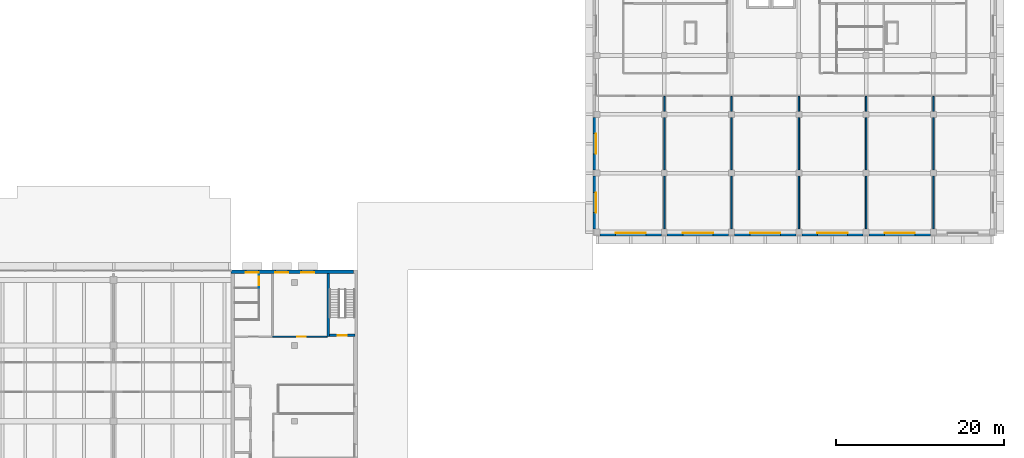
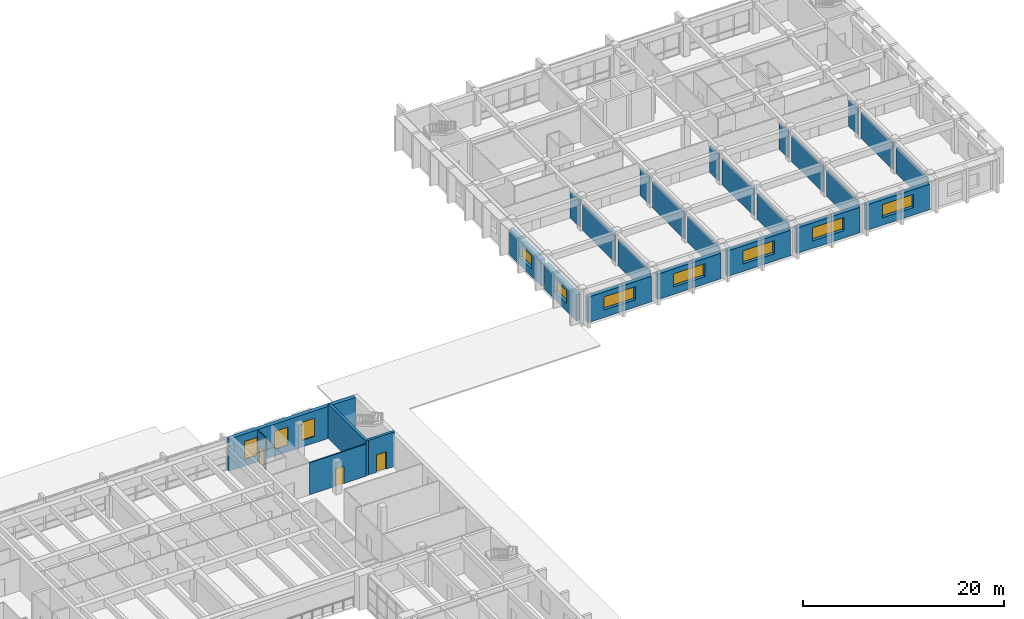
# One storey, part 34 of 45: 27 walls, 10 windows, 3 doors, 13 openings.
"""IFC4 building model written with IfcOpenShell, lengths in metres."""

from ifc_helpers import new_model, si_unit, direction, frame, frame_2d, origin, place, context, subcontext, project, spatial, rectangle, extrude, material, layer, layer_set, type_object, element, fill, save


model = new_model("IFC4")

# Units and contexts
model_context = context("Model", 3, precision=1e-05, world=origin(), true_north=direction((0.0, 1.0)))
body_context = subcontext(model_context, "Body", "Model", "MODEL_VIEW")
ifc_project = project(units=[si_unit("LENGTHUNIT", "METRE"), si_unit("AREAUNIT", "SQUARE_METRE"), si_unit("VOLUMEUNIT", "CUBIC_METRE"), si_unit("PLANEANGLEUNIT", "RADIAN"), si_unit("MASSUNIT", "GRAM", prefix="KILO")], contexts=[model_context])

# Site, building, storey
site_placement = place(None, origin())
site = spatial("IfcSite", under=ifc_project, at=site_placement, CompositionType="ELEMENT")
building_placement = place(site_placement, origin())
building = spatial("IfcBuilding", under=site, at=building_placement, Name="Elmora Arch Market Hall", CompositionType="ELEMENT")
storey_placement = place(building_placement, frame((0.0, 0.0, 6.0)))
storey = spatial("IfcBuildingStorey", under=building, at=storey_placement, Name="L01", CompositionType="ELEMENT", Elevation=6.0)

# Wall, openings, windows
ifc_material_1 = material(Name="Concrete C40/50", Category="concrete")
ifc_layer_1 = layer(ifc_material_1, 0.449951171875)
ifc_layer_set_1 = layer_set([ifc_layer_1], Name="Concrete C40/50")
wall_type_1 = type_object("IfcWallType", Name="Board-marked concrete wall 450", PredefinedType="SOLIDWALL", material=ifc_layer_set_1)
wall_1_placement = place(storey_placement, frame((43.0, 125.77490234375, 0.0), z_axis=(0.0, 0.0, 1.0), x_axis=(1.0, 0.0, 0.0)))
wall_1 = element("IfcWall", 1, at=wall_1_placement, inside=storey, type_object=wall_type_1, Name="Facade wall north NE L01", PredefinedType="SOLIDWALL", context=body_context, shape_type="SweptSolid", body=[
    extrude(rectangle(XDim=14.550048828125, YDim=0.449951171875, at=frame_2d((7.27490234375, 0.0))), origin(), (0.0, 0.0, 1.0), 3.89990234375),
])
opening_1_placement = place(wall_1_placement, frame((8.35009765625, 0.0, 0.800048828125)))
opening_1 = element("IfcOpeningElement", 2, at=opening_1_placement, cuts=wall_1, Name="Opening WP2", PredefinedType="OPENING", context=body_context, shape_type="SweptSolid", body=[
    extrude(rectangle(XDim=1.5, YDim=2.199951171875, at=frame_2d((0.75, 1.10009765625))), frame((0.0, 0.23486328125, 0.0), z_axis=(0.0, -1.0, 0.0), x_axis=(1.0, 0.0, 0.0)), (0.0, 0.0, 1.0), 0.469970703125),
])
opening_2_placement = place(wall_1_placement, frame((5.25, 0.0, 0.800048828125)))
opening_2 = element("IfcOpeningElement", 3, at=opening_2_placement, cuts=wall_1, Name="Opening WP2", PredefinedType="OPENING", context=body_context, shape_type="SweptSolid", body=[
    extrude(rectangle(XDim=1.5, YDim=2.199951171875, at=frame_2d((0.75, 1.10009765625))), frame((0.0, 0.23486328125, 0.0), z_axis=(0.0, -1.0, 0.0), x_axis=(1.0, 0.0, 0.0)), (0.0, 0.0, 1.0), 0.469970703125),
])
opening_3_placement = place(wall_1_placement, frame((1.75, 0.0, 0.800048828125)))
opening_3 = element("IfcOpeningElement", 4, at=opening_3_placement, cuts=wall_1, Name="Opening WP2", PredefinedType="OPENING", context=body_context, shape_type="SweptSolid", body=[
    extrude(rectangle(XDim=1.5, YDim=2.199951171875, at=frame_2d((0.75, 1.10009765625))), frame((0.0, 0.23486328125, 0.0), z_axis=(0.0, -1.0, 0.0), x_axis=(1.0, 0.0, 0.0)), (0.0, 0.0, 1.0), 0.469970703125),
])
ifc_material_2 = material(Name="Aluminium", Category="aluminium")
window_type_1 = type_object("IfcWindowType", Name="Pavilion window 1500x2200", PartitioningType="SINGLE_PANEL", PredefinedType="WINDOW", material=ifc_material_2)
window_1_placement = place(opening_1_placement, origin())
window_1 = element("IfcWindow", 5, at=window_1_placement, inside=storey, type_object=window_type_1, Name="Window WP2 L01 N38", OverallHeight=2.199951171875, OverallWidth=1.5, PartitioningType="SINGLE_PANEL", PredefinedType="WINDOW", context=body_context, shape_type="SweptSolid", body=[
    extrude(rectangle(XDim=1.5, YDim=2.199951171875, at=frame_2d((0.75, 1.10009765625))), frame((0.0, -0.074951171875, 0.0), z_axis=(0.0, -1.0, 0.0), x_axis=(1.0, 0.0, 0.0)), (0.0, 0.0, 1.0), 0.06005859375),
])
fill(opening_1, window_1)
window_2_placement = place(opening_2_placement, origin())
window_2 = element("IfcWindow", 6, at=window_2_placement, inside=storey, type_object=window_type_1, Name="Window WP2 L01 N39", OverallHeight=2.199951171875, OverallWidth=1.5, PartitioningType="SINGLE_PANEL", PredefinedType="WINDOW", context=body_context, shape_type="SweptSolid", body=[
    extrude(rectangle(XDim=1.5, YDim=2.199951171875, at=frame_2d((0.75, 1.10009765625))), frame((0.0, -0.074951171875, 0.0), z_axis=(0.0, -1.0, 0.0), x_axis=(1.0, 0.0, 0.0)), (0.0, 0.0, 1.0), 0.06005859375),
])
fill(opening_2, window_2)
window_3_placement = place(opening_3_placement, origin())
window_3 = element("IfcWindow", 7, at=window_3_placement, inside=storey, type_object=window_type_1, Name="Window WP2 L01 N40", OverallHeight=2.199951171875, OverallWidth=1.5, PartitioningType="SINGLE_PANEL", PredefinedType="WINDOW", context=body_context, shape_type="SweptSolid", body=[
    extrude(rectangle(XDim=1.5, YDim=2.199951171875, at=frame_2d((0.75, 1.10009765625))), frame((0.0, -0.074951171875, 0.0), z_axis=(0.0, -1.0, 0.0), x_axis=(1.0, 0.0, 0.0)), (0.0, 0.0, 1.0), 0.06005859375),
])
fill(opening_3, window_3)

# Wall, opening, window
wall_2_placement = place(storey_placement, frame((94.14990234375, 130.22509765625, 0.0), z_axis=(0.0, 0.0, 1.0), x_axis=(-1.0, 0.0, 0.0)))
wall_2 = element("IfcWall", 8, at=wall_2_placement, inside=storey, type_object=wall_type_1, Name="School facade wall S L01 1", PredefinedType="SOLIDWALL", context=body_context, shape_type="SweptSolid", body=[
    extrude(rectangle(XDim=7.2998046875, YDim=0.449951171875, at=frame_2d((3.64990234375, 0.0))), origin(), (0.0, 0.0, 1.0), 3.10009765625),
])
opening_4_placement = place(wall_2_placement, frame((1.85009765625, 0.0, 0.89990234375)))
opening_4 = element("IfcOpeningElement", 9, at=opening_4_placement, cuts=wall_2, Name="Opening WB1", PredefinedType="OPENING", context=body_context, shape_type="SweptSolid", body=[
    extrude(rectangle(XDim=3.60009765625, YDim=1.60009765625, at=frame_2d((1.800048828125, 0.800048828125))), frame((0.0, 0.23486328125, 0.0), z_axis=(0.0, -1.0, 0.0), x_axis=(1.0, 0.0, 0.0)), (0.0, 0.0, 1.0), 0.469970703125),
])
ifc_material_3 = material(Name="Aluminium", Category="aluminium")
window_type_2 = type_object("IfcWindowType", Name="School band window 3600x1600", PartitioningType="SINGLE_PANEL", PredefinedType="WINDOW", material=ifc_material_3)
window_4_placement = place(opening_4_placement, origin())
window_4 = element("IfcWindow", 10, at=window_4_placement, inside=storey, type_object=window_type_2, Name="Window WB1 L01 S87", OverallHeight=1.60009765625, OverallWidth=3.60009765625, PartitioningType="SINGLE_PANEL", PredefinedType="WINDOW", context=body_context, shape_type="SweptSolid", body=[
    extrude(rectangle(XDim=3.60009765625, YDim=1.60009765625, at=frame_2d((1.800048828125, 0.800048828125))), frame((0.0, -0.125, 0.0), z_axis=(0.0, -1.0, 0.0), x_axis=(1.0, 0.0, 0.0)), (0.0, 0.0, 1.0), 0.06005859375),
])
fill(opening_4, window_4)

wall_3_placement = place(storey_placement, frame((102.14990234375, 130.22509765625, 0.0), z_axis=(0.0, 0.0, 1.0), x_axis=(-1.0, 0.0, 0.0)))
wall_3 = element("IfcWall", 11, at=wall_3_placement, inside=storey, type_object=wall_type_1, Name="School facade wall S L01 2", PredefinedType="SOLIDWALL", context=body_context, shape_type="SweptSolid", body=[
    extrude(rectangle(XDim=7.2998046875, YDim=0.449951171875, at=frame_2d((3.64990234375, 0.0))), origin(), (0.0, 0.0, 1.0), 3.10009765625),
])
opening_5_placement = place(wall_3_placement, frame((1.85009765625, 0.0, 0.89990234375)))
opening_5 = element("IfcOpeningElement", 12, at=opening_5_placement, cuts=wall_3, Name="Opening WB1", PredefinedType="OPENING", context=body_context, shape_type="SweptSolid", body=[
    extrude(rectangle(XDim=3.60009765625, YDim=1.60009765625, at=frame_2d((1.800048828125, 0.800048828125))), frame((0.0, 0.23486328125, 0.0), z_axis=(0.0, -1.0, 0.0), x_axis=(1.0, 0.0, 0.0)), (0.0, 0.0, 1.0), 0.469970703125),
])
window_5_placement = place(opening_5_placement, origin())
window_5 = element("IfcWindow", 13, at=window_5_placement, inside=storey, type_object=window_type_2, Name="Window WB1 L01 S88", OverallHeight=1.60009765625, OverallWidth=3.60009765625, PartitioningType="SINGLE_PANEL", PredefinedType="WINDOW", context=body_context, shape_type="SweptSolid", body=[
    extrude(rectangle(XDim=3.60009765625, YDim=1.60009765625, at=frame_2d((1.800048828125, 0.800048828125))), frame((0.0, -0.125, 0.0), z_axis=(0.0, -1.0, 0.0), x_axis=(1.0, 0.0, 0.0)), (0.0, 0.0, 1.0), 0.06005859375),
])
fill(opening_5, window_5)

wall_4_placement = place(storey_placement, frame((110.14990234375, 130.22509765625, 0.0), z_axis=(0.0, 0.0, 1.0), x_axis=(-1.0, 0.0, 0.0)))
wall_4 = element("IfcWall", 14, at=wall_4_placement, inside=storey, type_object=wall_type_1, Name="School facade wall S L01 3", PredefinedType="SOLIDWALL", context=body_context, shape_type="SweptSolid", body=[
    extrude(rectangle(XDim=7.2998046875, YDim=0.449951171875, at=frame_2d((3.64990234375, 0.0))), origin(), (0.0, 0.0, 1.0), 3.10009765625),
])
opening_6_placement = place(wall_4_placement, frame((1.85009765625, 0.0, 0.89990234375)))
opening_6 = element("IfcOpeningElement", 15, at=opening_6_placement, cuts=wall_4, Name="Opening WB1", PredefinedType="OPENING", context=body_context, shape_type="SweptSolid", body=[
    extrude(rectangle(XDim=3.60009765625, YDim=1.60009765625, at=frame_2d((1.800048828125, 0.800048828125))), frame((0.0, 0.23486328125, 0.0), z_axis=(0.0, -1.0, 0.0), x_axis=(1.0, 0.0, 0.0)), (0.0, 0.0, 1.0), 0.469970703125),
])
window_6_placement = place(opening_6_placement, origin())
window_6 = element("IfcWindow", 16, at=window_6_placement, inside=storey, type_object=window_type_2, Name="Window WB1 L01 S89", OverallHeight=1.60009765625, OverallWidth=3.60009765625, PartitioningType="SINGLE_PANEL", PredefinedType="WINDOW", context=body_context, shape_type="SweptSolid", body=[
    extrude(rectangle(XDim=3.60009765625, YDim=1.60009765625, at=frame_2d((1.800048828125, 0.800048828125))), frame((0.0, -0.125, 0.0), z_axis=(0.0, -1.0, 0.0), x_axis=(1.0, 0.0, 0.0)), (0.0, 0.0, 1.0), 0.06005859375),
])
fill(opening_6, window_6)

wall_5_placement = place(storey_placement, frame((118.14990234375, 130.22509765625, 0.0), z_axis=(0.0, 0.0, 1.0), x_axis=(-1.0, 0.0, 0.0)))
wall_5 = element("IfcWall", 17, at=wall_5_placement, inside=storey, type_object=wall_type_1, Name="School facade wall S L01 4", PredefinedType="SOLIDWALL", context=body_context, shape_type="SweptSolid", body=[
    extrude(rectangle(XDim=7.2998046875, YDim=0.449951171875, at=frame_2d((3.64990234375, 0.0))), origin(), (0.0, 0.0, 1.0), 3.10009765625),
])
opening_7_placement = place(wall_5_placement, frame((1.85009765625, 0.0, 0.89990234375)))
opening_7 = element("IfcOpeningElement", 18, at=opening_7_placement, cuts=wall_5, Name="Opening WB1", PredefinedType="OPENING", context=body_context, shape_type="SweptSolid", body=[
    extrude(rectangle(XDim=3.60009765625, YDim=1.60009765625, at=frame_2d((1.800048828125, 0.800048828125))), frame((0.0, 0.23486328125, 0.0), z_axis=(0.0, -1.0, 0.0), x_axis=(1.0, 0.0, 0.0)), (0.0, 0.0, 1.0), 0.469970703125),
])
window_7_placement = place(opening_7_placement, origin())
window_7 = element("IfcWindow", 19, at=window_7_placement, inside=storey, type_object=window_type_2, Name="Window WB1 L01 S90", OverallHeight=1.60009765625, OverallWidth=3.60009765625, PartitioningType="SINGLE_PANEL", PredefinedType="WINDOW", context=body_context, shape_type="SweptSolid", body=[
    extrude(rectangle(XDim=3.60009765625, YDim=1.60009765625, at=frame_2d((1.800048828125, 0.800048828125))), frame((0.0, -0.125, 0.0), z_axis=(0.0, -1.0, 0.0), x_axis=(1.0, 0.0, 0.0)), (0.0, 0.0, 1.0), 0.06005859375),
])
fill(opening_7, window_7)

wall_6_placement = place(storey_placement, frame((126.14990234375, 130.22509765625, 0.0), z_axis=(0.0, 0.0, 1.0), x_axis=(-1.0, 0.0, 0.0)))
wall_6 = element("IfcWall", 20, at=wall_6_placement, inside=storey, type_object=wall_type_1, Name="School facade wall S L01 5", PredefinedType="SOLIDWALL", context=body_context, shape_type="SweptSolid", body=[
    extrude(rectangle(XDim=7.2998046875, YDim=0.449951171875, at=frame_2d((3.64990234375, 0.0))), origin(), (0.0, 0.0, 1.0), 3.10009765625),
])
opening_8_placement = place(wall_6_placement, frame((1.85009765625, 0.0, 0.89990234375)))
opening_8 = element("IfcOpeningElement", 21, at=opening_8_placement, cuts=wall_6, Name="Opening WB1", PredefinedType="OPENING", context=body_context, shape_type="SweptSolid", body=[
    extrude(rectangle(XDim=3.60009765625, YDim=1.60009765625, at=frame_2d((1.800048828125, 0.800048828125))), frame((0.0, 0.23486328125, 0.0), z_axis=(0.0, -1.0, 0.0), x_axis=(1.0, 0.0, 0.0)), (0.0, 0.0, 1.0), 0.469970703125),
])
window_8_placement = place(opening_8_placement, origin())
window_8 = element("IfcWindow", 22, at=window_8_placement, inside=storey, type_object=window_type_2, Name="Window WB1 L01 S91", OverallHeight=1.60009765625, OverallWidth=3.60009765625, PartitioningType="SINGLE_PANEL", PredefinedType="WINDOW", context=body_context, shape_type="SweptSolid", body=[
    extrude(rectangle(XDim=3.60009765625, YDim=1.60009765625, at=frame_2d((1.800048828125, 0.800048828125))), frame((0.0, -0.125, 0.0), z_axis=(0.0, -1.0, 0.0), x_axis=(1.0, 0.0, 0.0)), (0.0, 0.0, 1.0), 0.06005859375),
])
fill(opening_8, window_8)

wall_7_placement = place(storey_placement, frame((86.22509765625, 130.85009765625, 0.0), z_axis=(0.0, 0.0, 1.0), x_axis=(0.0, 1.0, 0.0)))
wall_7 = element("IfcWall", 23, at=wall_7_placement, inside=storey, type_object=wall_type_1, Name="School facade wall W L01 2", PredefinedType="SOLIDWALL", context=body_context, shape_type="SweptSolid", body=[
    extrude(rectangle(XDim=6.2998046875, YDim=0.449951171875, at=frame_2d((3.14990234375, 0.0))), origin(), (0.0, 0.0, 1.0), 3.199951171875),
])
opening_9_placement = place(wall_7_placement, frame((1.949951171875, 0.0, 0.89990234375)))
opening_9 = element("IfcOpeningElement", 24, at=opening_9_placement, cuts=wall_7, Name="Opening WB2", PredefinedType="OPENING", context=body_context, shape_type="SweptSolid", body=[
    extrude(rectangle(XDim=2.39990234375, YDim=1.60009765625, at=frame_2d((1.199951171875, 0.800048828125))), frame((0.0, 0.23486328125, 0.0), z_axis=(0.0, -1.0, 0.0), x_axis=(1.0, 0.0, 0.0)), (0.0, 0.0, 1.0), 0.469970703125),
])
ifc_material_4 = material(Name="Aluminium", Category="aluminium")
window_type_3 = type_object("IfcWindowType", Name="School end band window 2400x1600", PartitioningType="SINGLE_PANEL", PredefinedType="WINDOW", material=ifc_material_4)
window_9_placement = place(opening_9_placement, origin())
window_9 = element("IfcWindow", 25, at=window_9_placement, inside=storey, type_object=window_type_3, Name="Window WB2 L01 W93", OverallHeight=1.60009765625, OverallWidth=2.39990234375, PartitioningType="SINGLE_PANEL", PredefinedType="WINDOW", context=body_context, shape_type="SweptSolid", body=[
    extrude(rectangle(XDim=2.39990234375, YDim=1.60009765625, at=frame_2d((1.199951171875, 0.800048828125))), frame((0.0, -0.125, 0.0), z_axis=(0.0, -1.0, 0.0), x_axis=(1.0, 0.0, 0.0)), (0.0, 0.0, 1.0), 0.06005859375),
])
fill(opening_9, window_9)

wall_8_placement = place(storey_placement, frame((86.22509765625, 137.85009765625, 0.0), z_axis=(0.0, 0.0, 1.0), x_axis=(0.0, 1.0, 0.0)))
wall_8 = element("IfcWall", 26, at=wall_8_placement, inside=storey, type_object=wall_type_1, Name="School facade wall W L01 3", PredefinedType="SOLIDWALL", context=body_context, shape_type="SweptSolid", body=[
    extrude(rectangle(XDim=6.2998046875, YDim=0.449951171875, at=frame_2d((3.14990234375, 0.0))), origin(), (0.0, 0.0, 1.0), 3.199951171875),
])
opening_10_placement = place(wall_8_placement, frame((1.949951171875, 0.0, 0.89990234375)))
opening_10 = element("IfcOpeningElement", 27, at=opening_10_placement, cuts=wall_8, Name="Opening WB2", PredefinedType="OPENING", context=body_context, shape_type="SweptSolid", body=[
    extrude(rectangle(XDim=2.39990234375, YDim=1.60009765625, at=frame_2d((1.199951171875, 0.800048828125))), frame((0.0, 0.23486328125, 0.0), z_axis=(0.0, -1.0, 0.0), x_axis=(1.0, 0.0, 0.0)), (0.0, 0.0, 1.0), 0.469970703125),
])
window_10_placement = place(opening_10_placement, origin())
window_10 = element("IfcWindow", 28, at=window_10_placement, inside=storey, type_object=window_type_3, Name="Window WB2 L01 W94", OverallHeight=1.60009765625, OverallWidth=2.39990234375, PartitioningType="SINGLE_PANEL", PredefinedType="WINDOW", context=body_context, shape_type="SweptSolid", body=[
    extrude(rectangle(XDim=2.39990234375, YDim=1.60009765625, at=frame_2d((1.199951171875, 0.800048828125))), frame((0.0, -0.125, 0.0), z_axis=(0.0, -1.0, 0.0), x_axis=(1.0, 0.0, 0.0)), (0.0, 0.0, 1.0), 0.06005859375),
])
fill(opening_10, window_10)

# Wall, opening, door
ifc_material_5 = material(Name="Gypsum board on metal studs")
ifc_layer_2 = layer(ifc_material_5, 0.10009765625)
ifc_layer_set_2 = layer_set([ifc_layer_2], Name="Gypsum board on metal studs")
wall_type_2 = type_object("IfcWallType", Name="Partition 100", PredefinedType="PARTITIONING", material=ifc_layer_set_2)
wall_9_placement = place(storey_placement, frame((46.300048828125, 123.85009765625, 0.0), z_axis=(0.0, 0.0, 1.0), x_axis=(0.0, 1.0, 0.0)))
wall_9 = element("IfcWall", 29, at=wall_9_placement, inside=storey, type_object=wall_type_2, Name="Partition PT-L01-120", PredefinedType="PARTITIONING", context=body_context, shape_type="SweptSolid", body=[
    extrude(rectangle(XDim=1.699951171875, YDim=0.10009765625, at=frame_2d((0.85009765625, 0.0))), origin(), (0.0, 0.0, 1.0), 3.89990234375),
])
opening_11_placement = place(wall_9_placement, frame((0.35009765625, 0.0, 0.0)))
opening_11 = element("IfcOpeningElement", 30, at=opening_11_placement, cuts=wall_9, Name="Opening D-L01-069", PredefinedType="OPENING", context=body_context, shape_type="SweptSolid", body=[
    extrude(rectangle(XDim=1.0, YDim=2.10009765625, at=frame_2d((0.5, 1.050048828125))), frame((0.0, 0.06005859375, 0.0), z_axis=(0.0, -1.0, 0.0), x_axis=(1.0, 0.0, 0.0)), (0.0, 0.0, 1.0), 0.1201171875),
])
ifc_material_6 = material(Name="Timber door set", Category="wood")
door_type_1 = type_object("IfcDoorType", Name="Door 1000 x 2100", OperationType="SINGLE_SWING_LEFT", PredefinedType="DOOR", material=ifc_material_6)
door_1_placement = place(opening_11_placement, origin())
door_1 = element("IfcDoor", 31, at=door_1_placement, inside=storey, type_object=door_type_1, Name="D-L01-069", OperationType="SINGLE_SWING_LEFT", OverallHeight=2.10009765625, OverallWidth=1.0, PredefinedType="DOOR", context=body_context, shape_type="SweptSolid", body=[
    extrude(rectangle(XDim=1.0, YDim=2.10009765625, at=frame_2d((0.5, 1.050048828125))), frame((0.0, 0.02490234375, 0.0), z_axis=(0.0, -1.0, 0.0), x_axis=(1.0, 0.0, 0.0)), (0.0, 0.0, 1.0), 0.050048828125),
])
fill(opening_11, door_1)

ifc_material_7 = material(Name="Gypsum board on metal studs")
ifc_layer_3 = layer(ifc_material_7, 0.125)
ifc_layer_set_3 = layer_set([ifc_layer_3], Name="Gypsum board on metal studs")
wall_type_3 = type_object("IfcWallType", Name="Partition 125 EI 60", PredefinedType="PARTITIONING", material=ifc_layer_set_3)
wall_10_placement = place(storey_placement, frame((47.89990234375, 118.050048828125, 0.0), z_axis=(0.0, 0.0, 1.0), x_axis=(1.0, 0.0, 0.0)))
wall_10 = element("IfcWall", 32, at=wall_10_placement, inside=storey, type_object=wall_type_3, Name="Partition PT-L01-058", PredefinedType="PARTITIONING", context=body_context, shape_type="SweptSolid", body=[
    extrude(rectangle(XDim=6.5, YDim=0.125, at=frame_2d((3.25, 0.0))), origin(), (0.0, 0.0, 1.0), 3.89990234375),
])
opening_12_placement = place(wall_10_placement, frame((2.949951171875, 0.0, 0.0)))
opening_12 = element("IfcOpeningElement", 33, at=opening_12_placement, cuts=wall_10, Name="Opening D-L01-063", PredefinedType="OPENING", context=body_context, shape_type="SweptSolid", body=[
    extrude(rectangle(XDim=1.0, YDim=2.10009765625, at=frame_2d((0.5, 1.050048828125))), frame((0.0, 0.072509765625, 0.0), z_axis=(0.0, -1.0, 0.0), x_axis=(1.0, 0.0, 0.0)), (0.0, 0.0, 1.0), 0.14501953125),
])
ifc_material_8 = material(Name="Steel ASTM A653 galvanised", Category="steel")
door_type_2 = type_object("IfcDoorType", Name="Door 1000 x 2100 FD45", OperationType="SINGLE_SWING_LEFT", PredefinedType="DOOR", material=ifc_material_8)
door_2_placement = place(opening_12_placement, origin())
door_2 = element("IfcDoor", 34, at=door_2_placement, inside=storey, type_object=door_type_2, Name="D-L01-063", OperationType="SINGLE_SWING_RIGHT", OverallHeight=2.10009765625, OverallWidth=1.0, PredefinedType="DOOR", context=body_context, shape_type="SweptSolid", body=[
    extrude(rectangle(XDim=1.0, YDim=2.10009765625, at=frame_2d((0.5, 1.050048828125))), frame((0.0, 0.02490234375, 0.0), z_axis=(0.0, -1.0, 0.0), x_axis=(1.0, 0.0, 0.0)), (0.0, 0.0, 1.0), 0.050048828125),
])
fill(opening_12, door_2)

# Walls
ifc_material_9 = material(Name="Gypsum board on metal studs")
ifc_layer_4 = layer(ifc_material_9, 0.175048828125)
ifc_layer_set_4 = layer_set([ifc_layer_4], Name="Gypsum board on metal studs")
wall_type_4 = type_object("IfcWallType", Name="Partition 175 EI 60", PredefinedType="PARTITIONING", material=ifc_layer_set_4)
for number, where, z_axis, x_axis, name in (
    (35, (94.5, 130.85009765625, 0.0), (0.0, 0.0, 1.0), (0.0, 1.0, 0.0), "Partition PT-L01-139-142"),
    (36, (94.5, 137.85009765625, 0.0), (0.0, 0.0, 1.0), (0.0, 1.0, 0.0), "Partition PT-L01-139-143"),
):
    element("IfcWall", number, at=place(storey_placement, frame(where, z_axis=z_axis, x_axis=x_axis)), inside=storey, type_object=wall_type_4, Name=name, PredefinedType="PARTITIONING", context=body_context, shape_type="SweptSolid", body=[
        extrude(rectangle(XDim=6.2998046875, YDim=0.175048828125, at=frame_2d((3.14990234375, 0.0))), origin(), (0.0, 0.0, 1.0), 3.199951171875),
    ])
wall_11_placement = place(storey_placement, frame((94.5, 144.85009765625, 0.0), z_axis=(0.0, 0.0, 1.0), x_axis=(0.0, 1.0, 0.0)))
element("IfcWall", 37, at=wall_11_placement, inside=storey, type_object=wall_type_4, Name="Partition PT-L01-139-144", PredefinedType="PARTITIONING", context=body_context, shape_type="SweptSolid", body=[
    extrude(rectangle(XDim=1.787353515625, YDim=0.175048828125, at=frame_2d((0.8935546875, 0.0))), origin(), (0.0, 0.0, 1.0), 3.199951171875),
])
for number, where, z_axis, x_axis, name in (
    (38, (102.5, 130.85009765625, 0.0), (0.0, 0.0, 1.0), (0.0, 1.0, 0.0), "Partition PT-L01-142-147"),
    (39, (102.5, 137.85009765625, 0.0), (0.0, 0.0, 1.0), (0.0, 1.0, 0.0), "Partition PT-L01-142-148"),
):
    element("IfcWall", number, at=place(storey_placement, frame(where, z_axis=z_axis, x_axis=x_axis)), inside=storey, type_object=wall_type_4, Name=name, PredefinedType="PARTITIONING", context=body_context, shape_type="SweptSolid", body=[
        extrude(rectangle(XDim=6.2998046875, YDim=0.175048828125, at=frame_2d((3.14990234375, 0.0))), origin(), (0.0, 0.0, 1.0), 3.199951171875),
    ])
wall_12_placement = place(storey_placement, frame((102.5, 144.85009765625, 0.0), z_axis=(0.0, 0.0, 1.0), x_axis=(0.0, 1.0, 0.0)))
element("IfcWall", 40, at=wall_12_placement, inside=storey, type_object=wall_type_4, Name="Partition PT-L01-142-149", PredefinedType="PARTITIONING", context=body_context, shape_type="SweptSolid", body=[
    extrude(rectangle(XDim=1.787353515625, YDim=0.175048828125, at=frame_2d((0.8935546875, 0.0))), origin(), (0.0, 0.0, 1.0), 3.199951171875),
])
for number, where, z_axis, x_axis, name in (
    (41, (110.5, 130.85009765625, 0.0), (0.0, 0.0, 1.0), (0.0, 1.0, 0.0), "Partition PT-L01-143-150"),
    (42, (110.5, 137.85009765625, 0.0), (0.0, 0.0, 1.0), (0.0, 1.0, 0.0), "Partition PT-L01-143-151"),
):
    element("IfcWall", number, at=place(storey_placement, frame(where, z_axis=z_axis, x_axis=x_axis)), inside=storey, type_object=wall_type_4, Name=name, PredefinedType="PARTITIONING", context=body_context, shape_type="SweptSolid", body=[
        extrude(rectangle(XDim=6.2998046875, YDim=0.175048828125, at=frame_2d((3.14990234375, 0.0))), origin(), (0.0, 0.0, 1.0), 3.199951171875),
    ])
wall_13_placement = place(storey_placement, frame((110.5, 144.85009765625, 0.0), z_axis=(0.0, 0.0, 1.0), x_axis=(0.0, 1.0, 0.0)))
element("IfcWall", 43, at=wall_13_placement, inside=storey, type_object=wall_type_4, Name="Partition PT-L01-143-152", PredefinedType="PARTITIONING", context=body_context, shape_type="SweptSolid", body=[
    extrude(rectangle(XDim=1.787353515625, YDim=0.175048828125, at=frame_2d((0.8935546875, 0.0))), origin(), (0.0, 0.0, 1.0), 3.199951171875),
])
for number, where, z_axis, x_axis, name in (
    (44, (118.5, 130.85009765625, 0.0), (0.0, 0.0, 1.0), (0.0, 1.0, 0.0), "Partition PT-L01-149-158"),
    (45, (118.5, 137.85009765625, 0.0), (0.0, 0.0, 1.0), (0.0, 1.0, 0.0), "Partition PT-L01-149-159"),
):
    element("IfcWall", number, at=place(storey_placement, frame(where, z_axis=z_axis, x_axis=x_axis)), inside=storey, type_object=wall_type_4, Name=name, PredefinedType="PARTITIONING", context=body_context, shape_type="SweptSolid", body=[
        extrude(rectangle(XDim=6.2998046875, YDim=0.175048828125, at=frame_2d((3.14990234375, 0.0))), origin(), (0.0, 0.0, 1.0), 3.199951171875),
    ])
wall_14_placement = place(storey_placement, frame((118.5, 144.85009765625, 0.0), z_axis=(0.0, 0.0, 1.0), x_axis=(0.0, 1.0, 0.0)))
element("IfcWall", 46, at=wall_14_placement, inside=storey, type_object=wall_type_4, Name="Partition PT-L01-149-160", PredefinedType="PARTITIONING", context=body_context, shape_type="SweptSolid", body=[
    extrude(rectangle(XDim=1.787353515625, YDim=0.175048828125, at=frame_2d((0.8935546875, 0.0))), origin(), (0.0, 0.0, 1.0), 3.199951171875),
])
for number, where, z_axis, x_axis, name in (
    (47, (126.5, 130.85009765625, 0.0), (0.0, 0.0, 1.0), (0.0, 1.0, 0.0), "Partition PT-L01-153-164"),
    (48, (126.5, 137.85009765625, 0.0), (0.0, 0.0, 1.0), (0.0, 1.0, 0.0), "Partition PT-L01-153-165"),
):
    element("IfcWall", number, at=place(storey_placement, frame(where, z_axis=z_axis, x_axis=x_axis)), inside=storey, type_object=wall_type_4, Name=name, PredefinedType="PARTITIONING", context=body_context, shape_type="SweptSolid", body=[
        extrude(rectangle(XDim=6.2998046875, YDim=0.175048828125, at=frame_2d((3.14990234375, 0.0))), origin(), (0.0, 0.0, 1.0), 3.199951171875),
    ])
wall_15_placement = place(storey_placement, frame((126.5, 144.85009765625, 0.0), z_axis=(0.0, 0.0, 1.0), x_axis=(0.0, 1.0, 0.0)))
element("IfcWall", 49, at=wall_15_placement, inside=storey, type_object=wall_type_4, Name="Partition PT-L01-153-166", PredefinedType="PARTITIONING", context=body_context, shape_type="SweptSolid", body=[
    extrude(rectangle(XDim=1.787353515625, YDim=0.175048828125, at=frame_2d((0.8935546875, 0.0))), origin(), (0.0, 0.0, 1.0), 3.199951171875),
])

# Wall, opening, door
ifc_material_10 = material(Name="Concrete C40/50", Category="concrete")
ifc_layer_5 = layer(ifc_material_10, 0.300048828125)
ifc_layer_set_5 = layer_set([ifc_layer_5], Name="Concrete C40/50")
wall_type_5 = type_object("IfcWallType", Name="Stair wall 300", PredefinedType="SHEAR", material=ifc_layer_set_5)
wall_16_placement = place(storey_placement, frame((54.699951171875, 118.199951171875, 0.0), z_axis=(0.0, 0.0, 1.0), x_axis=(1.0, 0.0, 0.0)))
wall_16 = element("IfcWall", 50, at=wall_16_placement, inside=storey, type_object=wall_type_5, Name="Stair wall ST-E S L01", PredefinedType="SHEAR", context=body_context, shape_type="SweptSolid", body=[
    extrude(rectangle(XDim=3.0, YDim=0.300048828125, at=frame_2d((1.5, 0.0))), origin(), (0.0, 0.0, 1.0), 4.199951171875),
])
opening_13_placement = place(wall_16_placement, frame((0.949951171875, 0.0, 0.0)))
opening_13 = element("IfcOpeningElement", 51, at=opening_13_placement, cuts=wall_16, Name="Opening ST-E-L01", PredefinedType="OPENING", context=body_context, shape_type="SweptSolid", body=[
    extrude(rectangle(XDim=1.10009765625, YDim=2.10009765625, at=frame_2d((0.550048828125, 1.050048828125))), frame((0.0, 0.159912109375, 0.0), z_axis=(0.0, -1.0, 0.0), x_axis=(1.0, 0.0, 0.0)), (0.0, 0.0, 1.0), 0.320068359375),
])
ifc_material_11 = material(Name="Steel ASTM A653 galvanised", Category="steel")
door_type_3 = type_object("IfcDoorType", Name="Stair door 1100 x 2100 FD90", OperationType="SINGLE_SWING_LEFT", PredefinedType="DOOR", material=ifc_material_11)
door_3_placement = place(opening_13_placement, origin())
door_3 = element("IfcDoor", 52, at=door_3_placement, inside=storey, type_object=door_type_3, Name="Stair door ST-E L01", OperationType="SINGLE_SWING_LEFT", OverallHeight=2.10009765625, OverallWidth=1.10009765625, PredefinedType="DOOR", context=body_context, shape_type="SweptSolid", body=[
    extrude(rectangle(XDim=1.10009765625, YDim=2.10009765625, at=frame_2d((0.550048828125, 1.050048828125))), frame((0.0, 0.02490234375, 0.0), z_axis=(0.0, -1.0, 0.0), x_axis=(1.0, 0.0, 0.0)), (0.0, 0.0, 1.0), 0.050048828125),
])
fill(opening_13, door_3)

# Wall
wall_17_placement = place(storey_placement, frame((54.550048828125, 118.050048828125, 0.0), z_axis=(0.0, 0.0, 1.0), x_axis=(0.0, 1.0, 0.0)))
element("IfcWall", 53, at=wall_17_placement, inside=storey, type_object=wall_type_5, Name="Stair wall ST-E W L01", PredefinedType="SHEAR", context=body_context, shape_type="SweptSolid", body=[
    extrude(rectangle(XDim=7.5, YDim=0.300048828125, at=frame_2d((3.75, 0.0))), origin(), (0.0, 0.0, 1.0), 4.199951171875),
])

save(model, "model.ifc")
